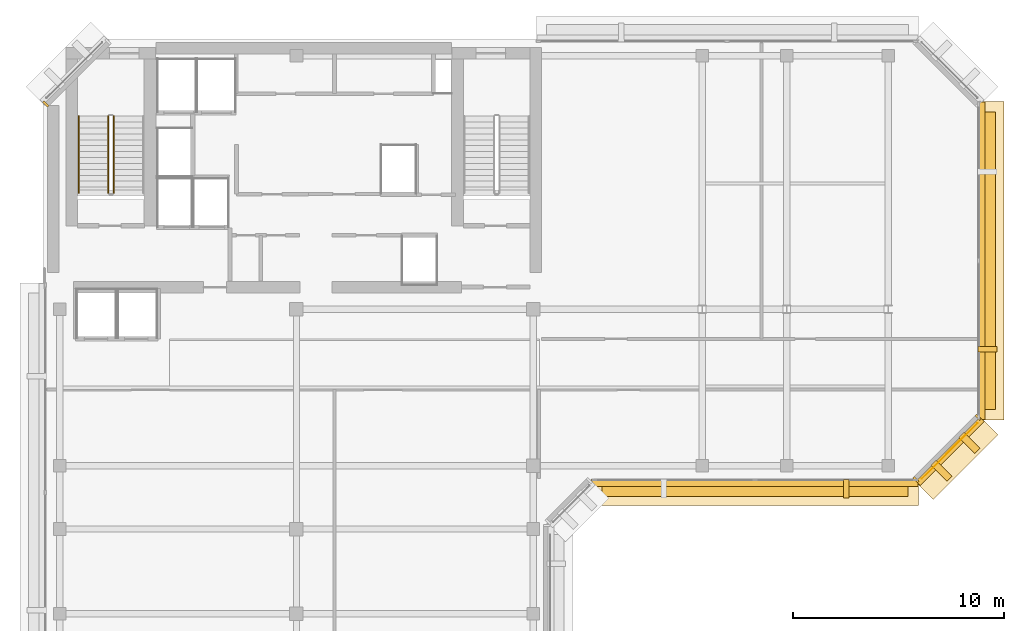
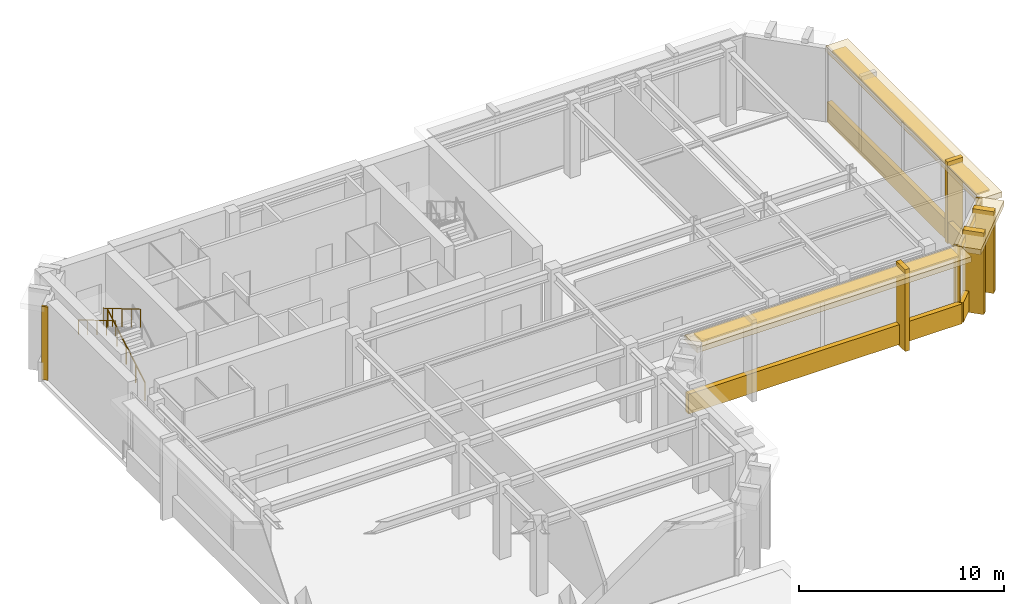
# One storey, part 9 of 11: 14 coverings, 3 railings, 2 shading devices.
"""IFC4 building model written with IfcOpenShell, lengths in metres."""

import ifcopenshell
import ifcopenshell.guid

model = None  # the IFC model being written
_history = None  # IfcOwnerHistory: only IFC2X3 demands one
_inside = {}  # id of a spatial element -> (the spatial element, [elements in it])
_under = {}  # id of a project, library or spatial element -> (it, [spatial elements below it])
_declared = {}  # id of a project -> (the project, [libraries it declares])
_typed = {}  # id of a type object -> (the type object, [elements of that type])
_made_of = {}  # id of a material, layer set ... -> (it, [elements and type objects made of it])


def new_model(schema):
    """Start an empty IFC model of exactly this schema.

    Asked for "IFC4X3", IfcOpenShell would pick the latest addendum, in which some entities
    have other attributes; the version numbers below select the first issue.
    IFC2X3 requires an IfcOwnerHistory on every rooted entity: one is made here for all.
    """
    global model, _history
    if schema == "IFC4X3":
        model = ifcopenshell.file(schema_version=(4, 3, 0, 0))
    else:
        model = ifcopenshell.file(schema=schema)
    _inside.clear()
    _under.clear()
    _declared.clear()
    _typed.clear()
    _made_of.clear()
    _history = None
    if model.schema == "IFC2X3":
        org = make("IfcOrganization", Name="unknown")
        user = make(
            "IfcPersonAndOrganization",
            ThePerson=make("IfcPerson", FamilyName="unknown"),
            TheOrganization=org,
        )
        app = make(
            "IfcApplication",
            ApplicationDeveloper=org,
            Version="unknown",
            ApplicationFullName="unknown",
            ApplicationIdentifier="unknown",
        )
        _history = make(
            "IfcOwnerHistory",
            OwningUser=user,
            OwningApplication=app,
            ChangeAction="ADDED",
            CreationDate=0,
        )
    return model


def make(cls, **values):
    """One entity of the class cls with the attributes given. An attribute that is None is left unset."""
    return model.create_entity(
        cls, **{name: value for name, value in values.items() if value is not None}
    )


def rooted(cls, **values):
    """An entity with a GlobalId (a new one), such as an element, a storey or a relation."""
    return make(cls, GlobalId=ifcopenshell.guid.new(), OwnerHistory=_history, **values)


def si_unit(unit_type, name, prefix=None):
    """IfcSIUnit, for example si_unit("LENGTHUNIT", "METRE", prefix="MILLI")."""
    return make("IfcSIUnit", UnitType=unit_type, Prefix=prefix, Name=name)


def assignment(units):
    """IfcUnitAssignment: the units of a project."""
    return None if units is None else make("IfcUnitAssignment", Units=units)


def point(xyz):
    """IfcCartesianPoint."""
    return None if xyz is None else make("IfcCartesianPoint", Coordinates=xyz)


def direction(xyz):
    """IfcDirection."""
    return None if xyz is None else make("IfcDirection", DirectionRatios=xyz)


def frame(location, z_axis=None, x_axis=None):
    """IfcAxis2Placement3D, a coordinate frame: its origin and axes. An axis left out is left unset."""
    return make(
        "IfcAxis2Placement3D",
        Location=point(location),
        Axis=direction(z_axis),
        RefDirection=direction(x_axis),
    )


def frame_2d(location, x_axis=None):
    """IfcAxis2Placement2D, a coordinate frame in the plane: its origin and x axis."""
    return make(
        "IfcAxis2Placement2D", Location=point(location), RefDirection=direction(x_axis)
    )


def origin():
    """The frame at (0, 0, 0) with its axes left unset."""
    return frame((0.0, 0.0, 0.0))


def origin_2d():
    """The frame at (0, 0) in the plane with its x axis left unset."""
    return frame_2d((0.0, 0.0))


def place(relative_to, where):
    """IfcLocalPlacement: puts the frame where relative to a parent placement (None: the world)."""
    return make(
        "IfcLocalPlacement", PlacementRelTo=relative_to, RelativePlacement=where
    )


def context(
    kind, dimensions, precision=None, world=None, true_north=None, identifier=None
):
    """IfcGeometricRepresentationContext, for example the 3D "Model" context."""
    return make(
        "IfcGeometricRepresentationContext",
        ContextIdentifier=identifier,
        ContextType=kind,
        CoordinateSpaceDimension=dimensions,
        Precision=precision,
        WorldCoordinateSystem=world,
        TrueNorth=true_north,
    )


def subcontext(parent, identifier, kind, view, scale=None):
    """IfcGeometricRepresentationSubContext, for example "Body" below "Model"."""
    return make(
        "IfcGeometricRepresentationSubContext",
        ContextIdentifier=identifier,
        ContextType=kind,
        ParentContext=parent,
        TargetScale=scale,
        TargetView=view,
    )


def project(units=None, contexts=None):
    """IfcProject with its units and contexts."""
    return rooted(
        "IfcProject",
        Name="project",
        RepresentationContexts=contexts,
        UnitsInContext=assignment(units),
    )


def spatial(cls, under=None, at=None, **own):
    """A site, building, storey or space (cls), placed at a placement, below another one or the project."""
    s = rooted(cls, ObjectPlacement=at, **own)
    if under is not None:
        _under.setdefault(under.id(), (under, []))[1].append(s)
    return s


def profile(cls, at=None, kind="AREA", **sizes):
    """A parametric profile (cls). Its sizes go by their IFC names, for example OverallWidth=200.0."""
    return make(cls, ProfileType=kind, Position=at, **sizes)


def rectangle(**sizes):
    """IfcRectangleProfileDef."""
    return profile("IfcRectangleProfileDef", **sizes)


def circle(**sizes):
    """IfcCircleProfileDef."""
    return profile("IfcCircleProfileDef", **sizes)


def extrude(swept, where, along, depth):
    """IfcExtrudedAreaSolid: the profile swept, set in the frame where, extruded along a direction by depth."""
    return make(
        "IfcExtrudedAreaSolid",
        SweptArea=swept,
        Position=where,
        ExtrudedDirection=direction(along),
        Depth=depth,
    )


def shape(context_of_items, identifier, shape_type, items):
    """IfcShapeRepresentation: the items that make up one representation, for example the "Body"."""
    return make(
        "IfcShapeRepresentation",
        ContextOfItems=context_of_items,
        RepresentationIdentifier=identifier,
        RepresentationType=shape_type,
        Items=items,
    )


def material(Name=None, Category=None):
    """IfcMaterial."""
    return make("IfcMaterial", Name=Name, Category=Category)


def layer(
    of_material, thickness, ventilated=None, Name=None, Category=None, Priority=None
):
    """IfcMaterialLayer: one layer of a wall or slab, of a material (None: an air gap)."""
    return make(
        "IfcMaterialLayer",
        Material=of_material,
        LayerThickness=thickness,
        IsVentilated=ventilated,
        Name=Name,
        Category=Category,
        Priority=Priority,
    )


def layer_set(layers, Name=None):
    """IfcMaterialLayerSet."""
    return make("IfcMaterialLayerSet", MaterialLayers=layers, LayerSetName=Name)


def made_of(thing, what):
    """Note that an element or type object is made of a material, layer set ...; save() writes the relation."""
    if what is not None:
        _made_of.setdefault(what.id(), (what, []))[1].append(thing)
    return thing


def type_object(cls, material=None, **own):
    """A type object (cls), such as IfcWallType, which elements share."""
    return made_of(rooted(cls, **own), material)


def element(
    cls,
    number,
    at=None,
    inside=None,
    cuts=None,
    type_object=None,
    material=None,
    context=None,
    identifier="Body",
    shape_type=None,
    held_by="IfcProductDefinitionShape",
    body=None,
    shapes=None,
    **own,
):
    """One element of the class cls, such as IfcWall. Its Tag is "e" and its number.

    at: its placement. inside: the storey or other place that contains it. cuts: it is an
    opening in that element (IfcRelVoidsElement). A single representation is given by context,
    identifier, shape_type and body (its items); several are given by shapes. held_by: the class
    of the entity that holds the representations. save() writes the other relations.
    """
    e = rooted(cls, Tag="e%d" % number, ObjectPlacement=at, **own)
    if body is not None:
        shapes = [shape(context, identifier, shape_type, body)]
    if shapes is not None:
        e.Representation = make(held_by, Representations=shapes)
    if inside is not None:
        _inside.setdefault(inside.id(), (inside, []))[1].append(e)
    if cuts is not None:
        rooted(
            "IfcRelVoidsElement", RelatingBuildingElement=cuts, RelatedOpeningElement=e
        )
    if type_object is not None:
        _typed.setdefault(type_object.id(), (type_object, []))[1].append(e)
    return made_of(e, material)


def aggregate(whole, parts):
    """IfcRelAggregates: a whole, such as a stair, and the parts it consists of."""
    return rooted("IfcRelAggregates", RelatingObject=whole, RelatedObjects=parts)


def save(model, path):
    """Write the relations noted so far, then the file.

    IfcRelAggregates (storeys below a building ...), IfcRelContainedInSpatialStructure (elements
    in a storey), IfcRelDefinesByType, IfcRelAssociatesMaterial and IfcRelDeclares: one each for
    every whole, place, type object, material and project.
    """
    for whole, parts in _under.values():
        aggregate(whole, parts)
    for where, things in _inside.values():
        rooted(
            "IfcRelContainedInSpatialStructure",
            RelatedElements=things,
            RelatingStructure=where,
        )
    for kind, things in _typed.values():
        rooted("IfcRelDefinesByType", RelatedObjects=things, RelatingType=kind)
    for what, things in _made_of.values():
        rooted("IfcRelAssociatesMaterial", RelatedObjects=things, RelatingMaterial=what)
    for by, libraries in _declared.values():
        rooted("IfcRelDeclares", RelatingContext=by, RelatedDefinitions=libraries)
    model.write(path)


model = new_model("IFC4")

# Units and contexts
model_context = context("Model", 3, precision=1e-05, world=origin(), true_north=direction((0.0, 1.0)))
body_context = subcontext(model_context, "Body", "Model", "MODEL_VIEW")
ifc_project = project(units=[si_unit("LENGTHUNIT", "METRE"), si_unit("AREAUNIT", "SQUARE_METRE"), si_unit("VOLUMEUNIT", "CUBIC_METRE"), si_unit("PLANEANGLEUNIT", "RADIAN"), si_unit("MASSUNIT", "GRAM", prefix="KILO")], contexts=[model_context])

# Site, building, storey
site_placement = place(None, origin())
site = spatial("IfcSite", under=ifc_project, at=site_placement, CompositionType="ELEMENT")
building_placement = place(site_placement, origin())
building = spatial("IfcBuilding", under=site, at=building_placement, Name="Kefirva Bronze Tower", CompositionType="ELEMENT")
storey_placement = place(building_placement, frame((0.0, 0.0, 347.489990234375)))
storey = spatial("IfcBuildingStorey", under=building, at=storey_placement, Name="L85", CompositionType="ELEMENT", Elevation=347.489990234375)

# Coverings
ifc_material_1 = material(Name="Bronze anodised aluminium", Category="aluminium")
ifc_layer_1 = layer(ifc_material_1, 0.02001953125, Name="Bronze anodised aluminium")
ifc_layer_set_1 = layer_set([ifc_layer_1], Name="Bronze anodised aluminium")
covering_type_1 = type_object("IfcCoveringType", Name="Anodised Bronze Spandrel Cladding 20mm", PredefinedType="CLADDING", material=ifc_layer_set_1)
covering_1_placement = place(storey_placement, frame((33.699951171875, 24.9599609375, -0.16015625), z_axis=(0.0, 0.0, 1.0), x_axis=(1.0, 0.0, 0.0)))
element("IfcCovering", 1, at=covering_1_placement, inside=storey, type_object=covering_type_1, Name="L85 Streamline Horizontal Spandrel Band 4", PredefinedType="CLADDING", context=body_context, shape_type="SweptSolid", body=[
    extrude(rectangle(XDim=15.43994140625, YDim=0.280029296875, at=origin_2d()), origin(), (0.0, 0.0, 1.0), 1.179931640625),
])
covering_2_placement = place(storey_placement, frame((42.906982421875, 26.492919921875, 3.949951171875), z_axis=(0.0, 0.0, 1.0), x_axis=(0.707106781187, 0.707106781187, 0.0)))
element("IfcCovering", 2, at=covering_2_placement, inside=storey, type_object=covering_type_1, Name="L85 Bronze Spandrel Cladding 5", PredefinedType="CLADDING", context=body_context, shape_type="SweptSolid", body=[
    extrude(rectangle(XDim=3.719482421875, YDim=0.02001953125, at=origin_2d()), origin(), (0.0, 0.0, 1.0), 0.39990234375),
])
for number, where, z_axis, x_axis, name in (
    (3, (41.311767578125, 25.137939453125, 0.0), (0.0, 0.0, 1.0), (0.707106781187, 0.707106781187, 0.0), "L85 Facade Joint Closure Panel 5S"),
    (4, (44.26220703125, 28.08837890625, 0.0), (0.0, 0.0, 1.0), (0.707106781187, 0.707106781187, 0.0), "L85 Facade Joint Closure Panel 5E"),
):
    element("IfcCovering", number, at=place(storey_placement, frame(where, z_axis=z_axis, x_axis=x_axis)), inside=storey, type_object=covering_type_1, Name=name, PredefinedType="CLADDING", context=body_context, shape_type="SweptSolid", body=[
        extrude(rectangle(XDim=0.10009765625, YDim=0.320068359375, at=origin_2d()), origin(), (0.0, 0.0, 1.0), 4.3701171875),
    ])
covering_3_placement = place(storey_placement, frame((42.92822265625, 26.4716796875, -0.16015625), z_axis=(0.0, 0.0, 1.0), x_axis=(0.707106781187, 0.707106781187, 0.0)))
element("IfcCovering", 5, at=covering_3_placement, inside=storey, type_object=covering_type_1, Name="L85 Streamline Horizontal Spandrel Band 5", PredefinedType="CLADDING", context=body_context, shape_type="SweptSolid", body=[
    extrude(rectangle(XDim=4.28271484375, YDim=0.280029296875, at=origin_2d()), origin(), (0.0, 0.0, 1.0), 1.179931640625),
])
covering_4_placement = place(storey_placement, frame((44.43994140625, 35.5, -0.16015625), z_axis=(0.0, 0.0, 1.0), x_axis=(0.0, 1.0, 0.0)))
element("IfcCovering", 6, at=covering_4_placement, inside=storey, type_object=covering_type_1, Name="L85 Streamline Horizontal Spandrel Band 6", PredefinedType="CLADDING", context=body_context, shape_type="SweptSolid", body=[
    extrude(rectangle(XDim=15.0400390625, YDim=0.280029296875, at=origin_2d()), origin(), (0.0, 0.0, 1.0), 1.179931640625),
])
covering_5_placement = place(storey_placement, frame((0.137939453125, 42.91162109375, 0.0), z_axis=(0.0, 0.0, 1.0), x_axis=(-0.707106781187, -0.707106781187, 0.0)))
element("IfcCovering", 7, at=covering_5_placement, inside=storey, type_object=covering_type_1, Name="L85 Facade Joint Closure Panel 7E", PredefinedType="CLADDING", context=body_context, shape_type="SweptSolid", body=[
    extrude(rectangle(XDim=0.10009765625, YDim=0.320068359375, at=origin_2d()), origin(), (0.0, 0.0, 1.0), 4.3701171875),
])

# Shading devices
ifc_layer_2 = layer(ifc_material_1, 0.090087890625, Name="Bronze anodised aluminium")
ifc_layer_set_2 = layer_set([ifc_layer_2], Name="Bronze anodised aluminium")
shading_device_type = type_object("IfcShadingDeviceType", Name="Horizontal Bronze Sunshade Band 750mm", PredefinedType="JALOUSIE", material=ifc_layer_set_2)
shading_device_1_placement = place(storey_placement, frame((33.699951171875, 24.705078125, 4.26513671875), z_axis=(0.0, 0.0, 1.0), x_axis=(1.0, 0.0, 0.0)))
element("IfcShadingDevice", 8, at=shading_device_1_placement, inside=storey, type_object=shading_device_type, Name="L85 Horizontal Bronze Sunshade Band 4", PredefinedType="JALOUSIE", context=body_context, shape_type="SweptSolid", body=[
    extrude(rectangle(XDim=14.489990234375, YDim=0.75, at=origin_2d()), origin(), (0.0, 0.0, 1.0), 0.090087890625),
])
shading_device_2_placement = place(storey_placement, frame((44.695068359375, 35.5, 4.26513671875), z_axis=(0.0, 0.0, 1.0), x_axis=(0.0, 1.0, 0.0)))
element("IfcShadingDevice", 9, at=shading_device_2_placement, inside=storey, type_object=shading_device_type, Name="L85 Horizontal Bronze Sunshade Band 6", PredefinedType="JALOUSIE", context=body_context, shape_type="SweptSolid", body=[
    extrude(rectangle(XDim=14.090087890625, YDim=0.75, at=origin_2d()), origin(), (0.0, 0.0, 1.0), 0.090087890625),
])

# Railings
ifc_material_2 = material(Name="Stainless steel 316", Category="steel")
railing_type_1 = type_object("IfcRailingType", Name="Interior Stair Guardrail 1100mm", PredefinedType="GUARDRAIL", material=ifc_material_2)
railing_1_placement = place(storey_placement, frame((3.35009765625, 38.699951171875, 0.1650390625)))
element("IfcRailing", 10, at=railing_1_placement, inside=storey, type_object=railing_type_1, Name="L85 ST-1 stair guard 1", PredefinedType="GUARDRAIL", context=body_context, shape_type="SweptSolid", body=[
    extrude(circle(Radius=0.02392578125, at=origin_2d()), frame((0.0, 0.0, 1.076171875), z_axis=(0.0, 0.861544779993, 0.507681585313), x_axis=(-1.0, 0.0, 0.0)), (0.0, 0.0, 1.0), 4.22509765625),
    extrude(circle(Radius=0.02099609375, at=origin_2d()), origin(), (0.0, 0.0, 1.0), 1.052001953125),
    extrude(circle(Radius=0.02099609375, at=origin_2d()), frame((0.0, 0.91015625, 0.5361328125)), (0.0, 0.0, 1.0), 1.052001953125),
    extrude(circle(Radius=0.02099609375, at=origin_2d()), frame((0.0, 1.820068359375, 1.072509765625)), (0.0, 0.0, 1.0), 1.052001953125),
    extrude(circle(Radius=0.02099609375, at=origin_2d()), frame((0.0, 2.72998046875, 1.60888671875)), (0.0, 0.0, 1.0), 1.052001953125),
    extrude(circle(Radius=0.02099609375, at=origin_2d()), frame((0.0, 3.64013671875, 2.14501953125)), (0.0, 0.0, 1.0), 1.052001953125),
])
railing_2_placement = place(storey_placement, frame((3.10009765625, 42.340087890625, 2.47509765625)))
element("IfcRailing", 11, at=railing_2_placement, inside=storey, type_object=railing_type_1, Name="L85 ST-1 stair guard 3", PredefinedType="GUARDRAIL", context=body_context, shape_type="SweptSolid", body=[
    extrude(circle(Radius=0.02392578125, at=origin_2d()), frame((0.0, 0.0, 1.076171875), z_axis=(0.0, -0.861544779993, 0.507681585313), x_axis=(1.0, 0.0, 0.0)), (0.0, 0.0, 1.0), 4.22509765625),
    extrude(circle(Radius=0.02099609375, at=origin_2d()), origin(), (0.0, 0.0, 1.0), 1.052001953125),
    extrude(circle(Radius=0.02099609375, at=origin_2d()), frame((0.0, -0.91015625, 0.5361328125)), (0.0, 0.0, 1.0), 1.052001953125),
    extrude(circle(Radius=0.02099609375, at=origin_2d()), frame((0.0, -1.820068359375, 1.072509765625)), (0.0, 0.0, 1.0), 1.052001953125),
    extrude(circle(Radius=0.02099609375, at=origin_2d()), frame((0.0, -2.72998046875, 1.60888671875)), (0.0, 0.0, 1.0), 1.052001953125),
    extrude(circle(Radius=0.02099609375, at=origin_2d()), frame((0.0, -3.64013671875, 2.14501953125)), (0.0, 0.0, 1.0), 1.052001953125),
])
railing_type_2 = type_object("IfcRailingType", Name="Stair Pitch Handrail 900mm", PredefinedType="HANDRAIL", material=ifc_material_2)
railing_3_placement = place(storey_placement, frame((1.699951171875, 42.340087890625, 2.47509765625)))
element("IfcRailing", 12, at=railing_3_placement, inside=storey, type_object=railing_type_2, Name="L85 ST-1 stair handrail 2", PredefinedType="HANDRAIL", context=body_context, shape_type="SweptSolid", body=[
    extrude(circle(Radius=0.02392578125, at=origin_2d()), frame((0.0, 0.0, 0.8759765625), z_axis=(0.0, -0.861544779993, 0.507681585313), x_axis=(1.0, 0.0, 0.0)), (0.0, 0.0, 1.0), 4.22509765625),
    extrude(circle(Radius=0.02099609375, at=origin_2d()), origin(), (0.0, 0.0, 1.0), 0.851806640625),
    extrude(circle(Radius=0.02099609375, at=origin_2d()), frame((0.0, -0.91015625, 0.5361328125)), (0.0, 0.0, 1.0), 0.851806640625),
    extrude(circle(Radius=0.02099609375, at=origin_2d()), frame((0.0, -1.820068359375, 1.072509765625)), (0.0, 0.0, 1.0), 0.851806640625),
    extrude(circle(Radius=0.02099609375, at=origin_2d()), frame((0.0, -2.72998046875, 1.60888671875)), (0.0, 0.0, 1.0), 0.851806640625),
    extrude(circle(Radius=0.02099609375, at=origin_2d()), frame((0.0, -3.64013671875, 2.14501953125)), (0.0, 0.0, 1.0), 0.851806640625),
])

# Coverings
ifc_layer_3 = layer(ifc_material_1, 0.179931640625, Name="Bronze anodised aluminium")
ifc_layer_set_3 = layer_set([ifc_layer_3], Name="Bronze anodised aluminium")
covering_type_2 = type_object("IfcCoveringType", Name="Streamline Bronze Sunshade Eyebrow Cladding 180mm", PredefinedType="CLADDING", material=ifc_layer_set_3)
covering_6_placement = place(storey_placement, frame((33.699951171875, 24.5400390625, 4.0498046875), z_axis=(0.0, 0.0, 1.0), x_axis=(1.0, 0.0, 0.0)))
element("IfcCovering", 13, at=covering_6_placement, inside=storey, type_object=covering_type_2, Name="L85 Streamline Bronze Sunshade Eyebrow 4", PredefinedType="CLADDING", context=body_context, shape_type="SweptSolid", body=[
    extrude(rectangle(XDim=15.47998046875, YDim=1.239990234375, at=origin_2d()), origin(), (0.0, 0.0, 1.0), 0.320068359375),
])
covering_7_placement = place(storey_placement, frame((43.225341796875, 26.1748046875, 4.0498046875), z_axis=(0.0, 0.0, 1.0), x_axis=(0.707106781187, 0.707106781187, 0.0)))
element("IfcCovering", 14, at=covering_7_placement, inside=storey, type_object=covering_type_2, Name="L85 Streamline Bronze Sunshade Eyebrow 5", PredefinedType="CLADDING", context=body_context, shape_type="SweptSolid", body=[
    extrude(rectangle(XDim=4.322509765625, YDim=1.239990234375, at=origin_2d()), origin(), (0.0, 0.0, 1.0), 0.320068359375),
])
covering_8_placement = place(storey_placement, frame((44.860107421875, 35.5, 4.0498046875), z_axis=(0.0, 0.0, 1.0), x_axis=(0.0, 1.0, 0.0)))
element("IfcCovering", 15, at=covering_8_placement, inside=storey, type_object=covering_type_2, Name="L85 Streamline Bronze Sunshade Eyebrow 6", PredefinedType="CLADDING", context=body_context, shape_type="SweptSolid", body=[
    extrude(rectangle(XDim=15.080078125, YDim=1.239990234375, at=origin_2d()), origin(), (0.0, 0.0, 1.0), 0.320068359375),
])
ifc_layer_4 = layer(ifc_material_1, 0.260009765625, Name="Bronze anodised aluminium")
ifc_layer_set_4 = layer_set([ifc_layer_4], Name="Bronze anodised aluminium")
covering_type_3 = type_object("IfcCoveringType", Name="Unbroken Bronze Buttress Fin Cladding 260mm", PredefinedType="CLADDING", material=ifc_layer_set_4)
covering_9_placement = place(storey_placement, frame((38.011962890625, 24.699951171875, -0.25), z_axis=(0.0, 0.0, 1.0), x_axis=(1.0, 0.0, 0.0)))
element("IfcCovering", 16, at=covering_9_placement, inside=storey, type_object=covering_type_3, Name="L85 Unbroken Vertical Bronze Rib Fin 8", PredefinedType="CLADDING", context=body_context, shape_type="SweptSolid", body=[
    extrude(rectangle(XDim=0.260009765625, YDim=0.8798828125, at=origin_2d()), origin(), (0.0, 0.0, 1.0), 4.8701171875),
])
for number, where, z_axis, x_axis, name in (
    (17, (42.522705078125, 25.55712890625, -0.25), (0.0, 0.0, 1.0), (0.707106781187, 0.707106781187, 0.0), "L85 Chamfered Corner Buttress Fin Cladding 9"),
    (18, (43.8427734375, 26.877197265625, -0.25), (0.0, 0.0, 1.0), (0.707106781187, 0.707106781187, 0.0), "L85 Chamfered Corner Buttress Fin Cladding 10"),
):
    element("IfcCovering", number, at=place(storey_placement, frame(where, z_axis=z_axis, x_axis=x_axis)), inside=storey, type_object=covering_type_3, Name=name, PredefinedType="CLADDING", context=body_context, shape_type="SweptSolid", body=[
        extrude(rectangle(XDim=0.340087890625, YDim=1.080078125, at=origin_2d()), origin(), (0.0, 0.0, 1.0), 4.8701171875),
    ])
covering_10_placement = place(storey_placement, frame((44.699951171875, 31.300048828125, -0.25), z_axis=(0.0, 0.0, 1.0), x_axis=(0.0, 1.0, 0.0)))
element("IfcCovering", 19, at=covering_10_placement, inside=storey, type_object=covering_type_3, Name="L85 Unbroken Vertical Bronze Rib Fin 11", PredefinedType="CLADDING", context=body_context, shape_type="SweptSolid", body=[
    extrude(rectangle(XDim=0.260009765625, YDim=0.8798828125, at=origin_2d()), origin(), (0.0, 0.0, 1.0), 4.8701171875),
])

save(model, "model.ifc")
